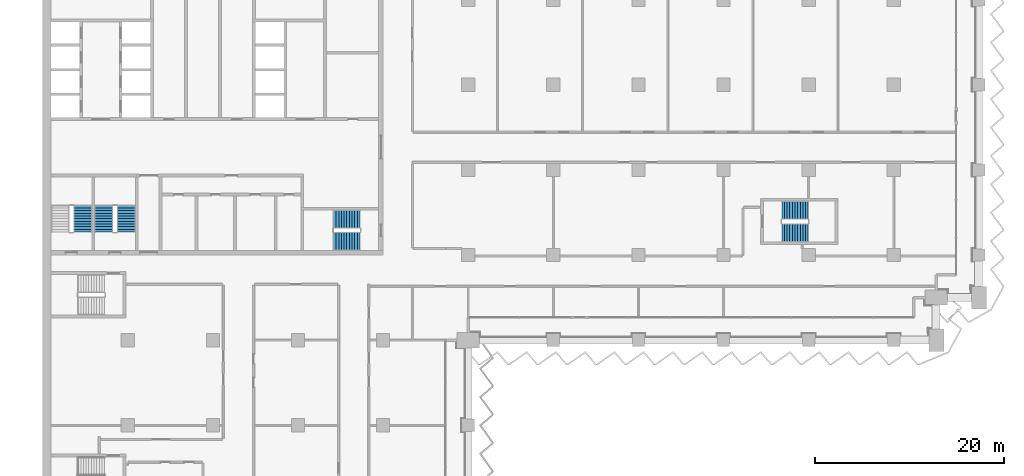
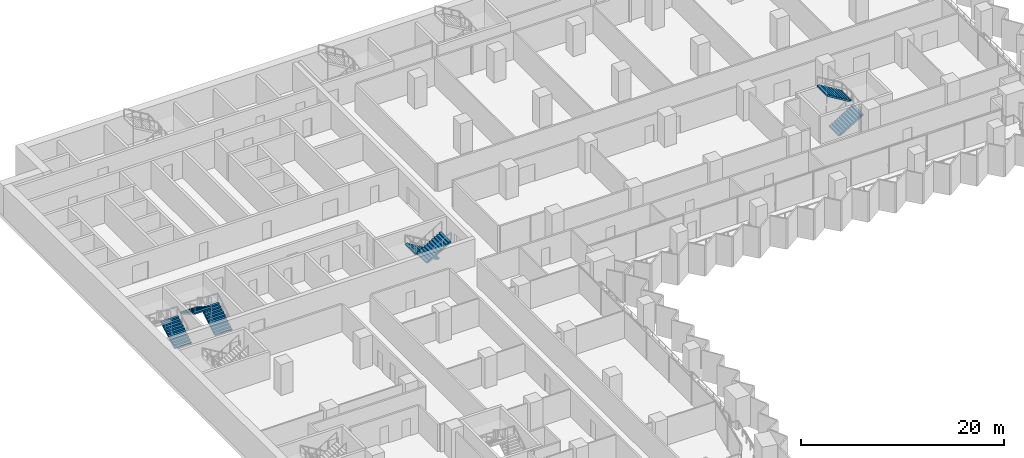
# One storey, part 21 of 29: 7 stair flights, 4 elements without a shape of their own.
"""IFC4 building model written with IfcOpenShell, lengths in metres."""

from ifc_helpers import new_model, si_unit, direction, frame, origin, place, context, subcontext, project, spatial, polyline, outline, extrude, material, type_object, element, aggregate, save


model = new_model("IFC4")

# Units and contexts
model_context = context("Model", 3, precision=1e-05, world=origin(), true_north=direction((0.0, 1.0)))
body_context = subcontext(model_context, "Body", "Model", "MODEL_VIEW")
ifc_project = project(units=[si_unit("LENGTHUNIT", "METRE"), si_unit("AREAUNIT", "SQUARE_METRE"), si_unit("VOLUMEUNIT", "CUBIC_METRE"), si_unit("PLANEANGLEUNIT", "RADIAN"), si_unit("MASSUNIT", "GRAM", prefix="KILO")], contexts=[model_context])

# Site, building, storey
site_placement = place(None, origin())
site = spatial("IfcSite", under=ifc_project, at=site_placement, CompositionType="ELEMENT")
building_placement = place(site_placement, origin())
building = spatial("IfcBuilding", under=site, at=building_placement, Name="Hunhe Ridgeline Campus", CompositionType="ELEMENT")
storey_placement = place(building_placement, frame((0.0, 0.0, 54.300048828125)))
storey = spatial("IfcBuildingStorey", under=building, at=storey_placement, Name="L12", CompositionType="ELEMENT", Elevation=54.300048828125)

# Stair, stair flights
ifc_material = material(Name="Concrete C40", Category="concrete")
stair_type = type_object("IfcStairType", Name="Reinforced concrete dog-leg stair 1950 Concrete C40", PredefinedType="HALF_TURN_STAIR", material=ifc_material)
stair_1_placement = place(storey_placement, origin())
stair_1 = element("IfcStair", 1, at=stair_1_placement, inside=storey, type_object=stair_type, Name="L12 S2", PredefinedType="HALF_TURN_STAIR")
stair_flight_type = type_object("IfcStairFlightType", Name="Reinforced concrete stair flight 1950 Concrete C40", PredefinedType="STRAIGHT", material=ifc_material)
stair_flight_1_placement = place(storey_placement, frame((33.550048828125, 66.77490234375, 0.0), z_axis=(0.0, 0.0, 1.0), x_axis=(-1.0, 0.0, 0.0)))
stair_flight_1 = element("IfcStairFlight", 2, at=stair_flight_1_placement, type_object=stair_flight_type, Name="ST2 flight 1", NumberOfRisers=11, NumberOfTreads=10, PredefinedType="STRAIGHT", RiserHeight=0.168181818, TreadLength=0.28, context=body_context, shape_type="SweptSolid", body=[
    extrude(outline(polyline([(0.0, 0.0), (0.0, 0.168212890625), (0.280029296875, 0.168212890625), (0.280029296875, 0.33642578125), (0.56005859375, 0.33642578125), (0.56005859375, 0.504638671875), (0.840087890625, 0.504638671875), (0.840087890625, 0.672607421875), (1.1201171875, 0.672607421875), (1.1201171875, 0.8408203125), (1.39990234375, 0.8408203125), (1.39990234375, 1.009033203125), (1.679931640625, 1.009033203125), (1.679931640625, 1.17724609375), (1.9599609375, 1.17724609375), (1.9599609375, 1.345458984375), (2.239990234375, 1.345458984375), (2.239990234375, 1.513671875), (2.52001953125, 1.513671875), (2.52001953125, 1.681884765625), (2.800048828125, 1.681884765625), (2.800048828125, 1.85009765625), (2.800048828125, 1.5068359375), (0.291015625, 0.0), (0.0, 0.0)])), frame((0.0, 0.97509765625, 0.0), z_axis=(0.0, -1.0, 0.0), x_axis=(1.0, 0.0, 0.0)), (0.0, 0.0, 1.0), 1.949951171875),
    extrude(outline(polyline([(0.030029296875, 0.030029296875), (0.030029296875, 0.13818359375), (0.31005859375, 0.13818359375), (0.31005859375, 0.306396484375), (0.590087890625, 0.306396484375), (0.590087890625, 0.474609375), (0.8701171875, 0.474609375), (0.8701171875, 0.642578125), (1.14990234375, 0.642578125), (1.14990234375, 0.810791015625), (1.429931640625, 0.810791015625), (1.429931640625, 0.97900390625), (1.7099609375, 0.97900390625), (1.7099609375, 1.147216796875), (1.989990234375, 1.147216796875), (1.989990234375, 1.3154296875), (2.27001953125, 1.3154296875), (2.27001953125, 1.483642578125), (2.550048828125, 1.483642578125), (2.550048828125, 1.65185546875), (2.77001953125, 1.65185546875), (2.77001953125, 1.52392578125), (0.28271484375, 0.030029296875), (0.030029296875, 0.030029296875)])), frame((0.0, -0.070068359375, 0.0), z_axis=(0.0, -1.0, 0.0), x_axis=(1.0, 0.0, 0.0)), (0.0, 0.0, 1.0), 0.019775390625),
    extrude(outline(polyline([(0.030029296875, 0.030029296875), (0.030029296875, 0.13818359375), (0.31005859375, 0.13818359375), (0.31005859375, 0.306396484375), (0.590087890625, 0.306396484375), (0.590087890625, 0.474609375), (0.8701171875, 0.474609375), (0.8701171875, 0.642578125), (1.14990234375, 0.642578125), (1.14990234375, 0.810791015625), (1.429931640625, 0.810791015625), (1.429931640625, 0.97900390625), (1.7099609375, 0.97900390625), (1.7099609375, 1.147216796875), (1.989990234375, 1.147216796875), (1.989990234375, 1.3154296875), (2.27001953125, 1.3154296875), (2.27001953125, 1.483642578125), (2.550048828125, 1.483642578125), (2.550048828125, 1.65185546875), (2.77001953125, 1.65185546875), (2.77001953125, 1.52392578125), (0.28271484375, 0.030029296875), (0.030029296875, 0.030029296875)])), frame((0.0, 0.010009765625, 0.0), z_axis=(0.0, -1.0, 0.0), x_axis=(1.0, 0.0, 0.0)), (0.0, 0.0, 1.0), 0.019775390625),
    extrude(outline(polyline([(0.030029296875, 0.030029296875), (0.030029296875, 0.13818359375), (0.31005859375, 0.13818359375), (0.31005859375, 0.306396484375), (0.590087890625, 0.306396484375), (0.590087890625, 0.474609375), (0.8701171875, 0.474609375), (0.8701171875, 0.642578125), (1.14990234375, 0.642578125), (1.14990234375, 0.810791015625), (1.429931640625, 0.810791015625), (1.429931640625, 0.97900390625), (1.7099609375, 0.97900390625), (1.7099609375, 1.147216796875), (1.989990234375, 1.147216796875), (1.989990234375, 1.3154296875), (2.27001953125, 1.3154296875), (2.27001953125, 1.483642578125), (2.550048828125, 1.483642578125), (2.550048828125, 1.65185546875), (2.77001953125, 1.65185546875), (2.77001953125, 1.52392578125), (0.28271484375, 0.030029296875), (0.030029296875, 0.030029296875)])), frame((0.0, 0.090087890625, 0.0), z_axis=(0.0, -1.0, 0.0), x_axis=(1.0, 0.0, 0.0)), (0.0, 0.0, 1.0), 0.019775390625),
])
stair_flight_2_placement = place(storey_placement, frame((30.75, 64.47509765625, 1.849853515625), z_axis=(0.0, 0.0, 1.0), x_axis=(1.0, 0.0, 0.0)))
stair_flight_2 = element("IfcStairFlight", 3, at=stair_flight_2_placement, type_object=stair_flight_type, Name="ST2 flight 2", NumberOfRisers=11, NumberOfTreads=10, PredefinedType="STRAIGHT", RiserHeight=0.168181818, TreadLength=0.28, context=body_context, shape_type="SweptSolid", body=[
    extrude(outline(polyline([(0.0, 0.0), (0.0, 0.168212890625), (0.280029296875, 0.168212890625), (0.280029296875, 0.33642578125), (0.56005859375, 0.33642578125), (0.56005859375, 0.504638671875), (0.840087890625, 0.504638671875), (0.840087890625, 0.672607421875), (1.1201171875, 0.672607421875), (1.1201171875, 0.8408203125), (1.39990234375, 0.8408203125), (1.39990234375, 1.009033203125), (1.679931640625, 1.009033203125), (1.679931640625, 1.17724609375), (1.9599609375, 1.17724609375), (1.9599609375, 1.345458984375), (2.239990234375, 1.345458984375), (2.239990234375, 1.513671875), (2.52001953125, 1.513671875), (2.52001953125, 1.681884765625), (2.800048828125, 1.681884765625), (2.800048828125, 1.85009765625), (2.800048828125, 1.5068359375), (0.291015625, 0.0), (0.0, 0.0)])), frame((0.0, 0.97509765625, 0.0), z_axis=(0.0, -1.0, 0.0), x_axis=(1.0, 0.0, 0.0)), (0.0, 0.0, 1.0), 1.949951171875),
    extrude(outline(polyline([(0.030029296875, 0.030029296875), (0.030029296875, 0.13818359375), (0.31005859375, 0.13818359375), (0.31005859375, 0.306396484375), (0.590087890625, 0.306396484375), (0.590087890625, 0.474609375), (0.8701171875, 0.474609375), (0.8701171875, 0.642578125), (1.14990234375, 0.642578125), (1.14990234375, 0.810791015625), (1.429931640625, 0.810791015625), (1.429931640625, 0.97900390625), (1.7099609375, 0.97900390625), (1.7099609375, 1.147216796875), (1.989990234375, 1.147216796875), (1.989990234375, 1.3154296875), (2.27001953125, 1.3154296875), (2.27001953125, 1.483642578125), (2.550048828125, 1.483642578125), (2.550048828125, 1.65185546875), (2.77001953125, 1.65185546875), (2.77001953125, 1.52392578125), (0.28271484375, 0.030029296875), (0.030029296875, 0.030029296875)])), frame((0.0, -0.070068359375, 0.0), z_axis=(0.0, -1.0, 0.0), x_axis=(1.0, 0.0, 0.0)), (0.0, 0.0, 1.0), 0.019775390625),
    extrude(outline(polyline([(0.030029296875, 0.030029296875), (0.030029296875, 0.13818359375), (0.31005859375, 0.13818359375), (0.31005859375, 0.306396484375), (0.590087890625, 0.306396484375), (0.590087890625, 0.474609375), (0.8701171875, 0.474609375), (0.8701171875, 0.642578125), (1.14990234375, 0.642578125), (1.14990234375, 0.810791015625), (1.429931640625, 0.810791015625), (1.429931640625, 0.97900390625), (1.7099609375, 0.97900390625), (1.7099609375, 1.147216796875), (1.989990234375, 1.147216796875), (1.989990234375, 1.3154296875), (2.27001953125, 1.3154296875), (2.27001953125, 1.483642578125), (2.550048828125, 1.483642578125), (2.550048828125, 1.65185546875), (2.77001953125, 1.65185546875), (2.77001953125, 1.52392578125), (0.28271484375, 0.030029296875), (0.030029296875, 0.030029296875)])), frame((0.0, 0.010009765625, 0.0), z_axis=(0.0, -1.0, 0.0), x_axis=(1.0, 0.0, 0.0)), (0.0, 0.0, 1.0), 0.019775390625),
    extrude(outline(polyline([(0.030029296875, 0.030029296875), (0.030029296875, 0.13818359375), (0.31005859375, 0.13818359375), (0.31005859375, 0.306396484375), (0.590087890625, 0.306396484375), (0.590087890625, 0.474609375), (0.8701171875, 0.474609375), (0.8701171875, 0.642578125), (1.14990234375, 0.642578125), (1.14990234375, 0.810791015625), (1.429931640625, 0.810791015625), (1.429931640625, 0.97900390625), (1.7099609375, 0.97900390625), (1.7099609375, 1.147216796875), (1.989990234375, 1.147216796875), (1.989990234375, 1.3154296875), (2.27001953125, 1.3154296875), (2.27001953125, 1.483642578125), (2.550048828125, 1.483642578125), (2.550048828125, 1.65185546875), (2.77001953125, 1.65185546875), (2.77001953125, 1.52392578125), (0.28271484375, 0.030029296875), (0.030029296875, 0.030029296875)])), frame((0.0, 0.090087890625, 0.0), z_axis=(0.0, -1.0, 0.0), x_axis=(1.0, 0.0, 0.0)), (0.0, 0.0, 1.0), 0.019775390625),
])
aggregate(stair_1, [stair_flight_1, stair_flight_2])

# Stair, stair flight
stair_2_placement = place(storey_placement, origin())
stair_2 = element("IfcStair", 4, at=stair_2_placement, inside=storey, type_object=stair_type, Name="L12 S3", PredefinedType="HALF_TURN_STAIR")
stair_flight_3_placement = place(storey_placement, frame((4.22509765625, 65.449951171875, 0.0), z_axis=(0.0, 0.0, 1.0), x_axis=(0.0, 1.0, 0.0)))
stair_flight_3 = element("IfcStairFlight", 5, at=stair_flight_3_placement, type_object=stair_flight_type, Name="ST3 flight 1", NumberOfRisers=11, NumberOfTreads=10, PredefinedType="STRAIGHT", RiserHeight=0.168181818, TreadLength=0.28, context=body_context, shape_type="SweptSolid", body=[
    extrude(outline(polyline([(0.0, 0.0), (0.0, 0.168212890625), (0.280029296875, 0.168212890625), (0.280029296875, 0.33642578125), (0.56005859375, 0.33642578125), (0.56005859375, 0.504638671875), (0.840087890625, 0.504638671875), (0.840087890625, 0.672607421875), (1.1201171875, 0.672607421875), (1.1201171875, 0.8408203125), (1.39990234375, 0.8408203125), (1.39990234375, 1.009033203125), (1.679931640625, 1.009033203125), (1.679931640625, 1.17724609375), (1.9599609375, 1.17724609375), (1.9599609375, 1.345458984375), (2.239990234375, 1.345458984375), (2.239990234375, 1.513671875), (2.52001953125, 1.513671875), (2.52001953125, 1.681884765625), (2.800048828125, 1.681884765625), (2.800048828125, 1.85009765625), (2.800048828125, 1.5068359375), (0.291015625, 0.0), (0.0, 0.0)])), frame((0.0, 0.97509765625, 0.0), z_axis=(0.0, -1.0, 0.0), x_axis=(1.0, 0.0, 0.0)), (0.0, 0.0, 1.0), 1.949951171875),
    extrude(outline(polyline([(0.030029296875, 0.030029296875), (0.030029296875, 0.13818359375), (0.31005859375, 0.13818359375), (0.31005859375, 0.306396484375), (0.590087890625, 0.306396484375), (0.590087890625, 0.474609375), (0.8701171875, 0.474609375), (0.8701171875, 0.642578125), (1.14990234375, 0.642578125), (1.14990234375, 0.810791015625), (1.429931640625, 0.810791015625), (1.429931640625, 0.97900390625), (1.7099609375, 0.97900390625), (1.7099609375, 1.147216796875), (1.989990234375, 1.147216796875), (1.989990234375, 1.3154296875), (2.27001953125, 1.3154296875), (2.27001953125, 1.483642578125), (2.550048828125, 1.483642578125), (2.550048828125, 1.65185546875), (2.77001953125, 1.65185546875), (2.77001953125, 1.52392578125), (0.28271484375, 0.030029296875), (0.030029296875, 0.030029296875)])), frame((0.0, -0.070068359375, 0.0), z_axis=(0.0, -1.0, 0.0), x_axis=(1.0, 0.0, 0.0)), (0.0, 0.0, 1.0), 0.019775390625),
    extrude(outline(polyline([(0.030029296875, 0.030029296875), (0.030029296875, 0.13818359375), (0.31005859375, 0.13818359375), (0.31005859375, 0.306396484375), (0.590087890625, 0.306396484375), (0.590087890625, 0.474609375), (0.8701171875, 0.474609375), (0.8701171875, 0.642578125), (1.14990234375, 0.642578125), (1.14990234375, 0.810791015625), (1.429931640625, 0.810791015625), (1.429931640625, 0.97900390625), (1.7099609375, 0.97900390625), (1.7099609375, 1.147216796875), (1.989990234375, 1.147216796875), (1.989990234375, 1.3154296875), (2.27001953125, 1.3154296875), (2.27001953125, 1.483642578125), (2.550048828125, 1.483642578125), (2.550048828125, 1.65185546875), (2.77001953125, 1.65185546875), (2.77001953125, 1.52392578125), (0.28271484375, 0.030029296875), (0.030029296875, 0.030029296875)])), frame((0.0, 0.010009765625, 0.0), z_axis=(0.0, -1.0, 0.0), x_axis=(1.0, 0.0, 0.0)), (0.0, 0.0, 1.0), 0.019775390625),
    extrude(outline(polyline([(0.030029296875, 0.030029296875), (0.030029296875, 0.13818359375), (0.31005859375, 0.13818359375), (0.31005859375, 0.306396484375), (0.590087890625, 0.306396484375), (0.590087890625, 0.474609375), (0.8701171875, 0.474609375), (0.8701171875, 0.642578125), (1.14990234375, 0.642578125), (1.14990234375, 0.810791015625), (1.429931640625, 0.810791015625), (1.429931640625, 0.97900390625), (1.7099609375, 0.97900390625), (1.7099609375, 1.147216796875), (1.989990234375, 1.147216796875), (1.989990234375, 1.3154296875), (2.27001953125, 1.3154296875), (2.27001953125, 1.483642578125), (2.550048828125, 1.483642578125), (2.550048828125, 1.65185546875), (2.77001953125, 1.65185546875), (2.77001953125, 1.52392578125), (0.28271484375, 0.030029296875), (0.030029296875, 0.030029296875)])), frame((0.0, 0.090087890625, 0.0), z_axis=(0.0, -1.0, 0.0), x_axis=(1.0, 0.0, 0.0)), (0.0, 0.0, 1.0), 0.019775390625),
])
aggregate(stair_2, [stair_flight_3])

# Stair, stair flights
stair_3_placement = place(storey_placement, origin())
stair_3 = element("IfcStair", 6, at=stair_3_placement, inside=storey, type_object=stair_type, Name="L12 S4", PredefinedType="HALF_TURN_STAIR")
stair_flight_4_placement = place(storey_placement, frame((8.824951171875, 65.449951171875, 0.0), z_axis=(0.0, 0.0, 1.0), x_axis=(0.0, 1.0, 0.0)))
stair_flight_4 = element("IfcStairFlight", 7, at=stair_flight_4_placement, type_object=stair_flight_type, Name="ST4 flight 1", NumberOfRisers=11, NumberOfTreads=10, PredefinedType="STRAIGHT", RiserHeight=0.168181818, TreadLength=0.28, context=body_context, shape_type="SweptSolid", body=[
    extrude(outline(polyline([(0.0, 0.0), (0.0, 0.168212890625), (0.280029296875, 0.168212890625), (0.280029296875, 0.33642578125), (0.56005859375, 0.33642578125), (0.56005859375, 0.504638671875), (0.840087890625, 0.504638671875), (0.840087890625, 0.672607421875), (1.1201171875, 0.672607421875), (1.1201171875, 0.8408203125), (1.39990234375, 0.8408203125), (1.39990234375, 1.009033203125), (1.679931640625, 1.009033203125), (1.679931640625, 1.17724609375), (1.9599609375, 1.17724609375), (1.9599609375, 1.345458984375), (2.239990234375, 1.345458984375), (2.239990234375, 1.513671875), (2.52001953125, 1.513671875), (2.52001953125, 1.681884765625), (2.800048828125, 1.681884765625), (2.800048828125, 1.85009765625), (2.800048828125, 1.5068359375), (0.291015625, 0.0), (0.0, 0.0)])), frame((0.0, 0.97509765625, 0.0), z_axis=(0.0, -1.0, 0.0), x_axis=(1.0, 0.0, 0.0)), (0.0, 0.0, 1.0), 1.949951171875),
    extrude(outline(polyline([(0.030029296875, 0.030029296875), (0.030029296875, 0.13818359375), (0.31005859375, 0.13818359375), (0.31005859375, 0.306396484375), (0.590087890625, 0.306396484375), (0.590087890625, 0.474609375), (0.8701171875, 0.474609375), (0.8701171875, 0.642578125), (1.14990234375, 0.642578125), (1.14990234375, 0.810791015625), (1.429931640625, 0.810791015625), (1.429931640625, 0.97900390625), (1.7099609375, 0.97900390625), (1.7099609375, 1.147216796875), (1.989990234375, 1.147216796875), (1.989990234375, 1.3154296875), (2.27001953125, 1.3154296875), (2.27001953125, 1.483642578125), (2.550048828125, 1.483642578125), (2.550048828125, 1.65185546875), (2.77001953125, 1.65185546875), (2.77001953125, 1.52392578125), (0.28271484375, 0.030029296875), (0.030029296875, 0.030029296875)])), frame((0.0, -0.070068359375, 0.0), z_axis=(0.0, -1.0, 0.0), x_axis=(1.0, 0.0, 0.0)), (0.0, 0.0, 1.0), 0.019775390625),
    extrude(outline(polyline([(0.030029296875, 0.030029296875), (0.030029296875, 0.13818359375), (0.31005859375, 0.13818359375), (0.31005859375, 0.306396484375), (0.590087890625, 0.306396484375), (0.590087890625, 0.474609375), (0.8701171875, 0.474609375), (0.8701171875, 0.642578125), (1.14990234375, 0.642578125), (1.14990234375, 0.810791015625), (1.429931640625, 0.810791015625), (1.429931640625, 0.97900390625), (1.7099609375, 0.97900390625), (1.7099609375, 1.147216796875), (1.989990234375, 1.147216796875), (1.989990234375, 1.3154296875), (2.27001953125, 1.3154296875), (2.27001953125, 1.483642578125), (2.550048828125, 1.483642578125), (2.550048828125, 1.65185546875), (2.77001953125, 1.65185546875), (2.77001953125, 1.52392578125), (0.28271484375, 0.030029296875), (0.030029296875, 0.030029296875)])), frame((0.0, 0.010009765625, 0.0), z_axis=(0.0, -1.0, 0.0), x_axis=(1.0, 0.0, 0.0)), (0.0, 0.0, 1.0), 0.019775390625),
    extrude(outline(polyline([(0.030029296875, 0.030029296875), (0.030029296875, 0.13818359375), (0.31005859375, 0.13818359375), (0.31005859375, 0.306396484375), (0.590087890625, 0.306396484375), (0.590087890625, 0.474609375), (0.8701171875, 0.474609375), (0.8701171875, 0.642578125), (1.14990234375, 0.642578125), (1.14990234375, 0.810791015625), (1.429931640625, 0.810791015625), (1.429931640625, 0.97900390625), (1.7099609375, 0.97900390625), (1.7099609375, 1.147216796875), (1.989990234375, 1.147216796875), (1.989990234375, 1.3154296875), (2.27001953125, 1.3154296875), (2.27001953125, 1.483642578125), (2.550048828125, 1.483642578125), (2.550048828125, 1.65185546875), (2.77001953125, 1.65185546875), (2.77001953125, 1.52392578125), (0.28271484375, 0.030029296875), (0.030029296875, 0.030029296875)])), frame((0.0, 0.090087890625, 0.0), z_axis=(0.0, -1.0, 0.0), x_axis=(1.0, 0.0, 0.0)), (0.0, 0.0, 1.0), 0.019775390625),
])
stair_flight_5_placement = place(storey_placement, frame((6.47509765625, 68.25, 1.849853515625), z_axis=(0.0, 0.0, 1.0), x_axis=(0.0, -1.0, 0.0)))
stair_flight_5 = element("IfcStairFlight", 8, at=stair_flight_5_placement, type_object=stair_flight_type, Name="ST4 flight 2", NumberOfRisers=11, NumberOfTreads=10, PredefinedType="STRAIGHT", RiserHeight=0.168181818, TreadLength=0.28, context=body_context, shape_type="SweptSolid", body=[
    extrude(outline(polyline([(0.0, 0.0), (0.0, 0.168212890625), (0.280029296875, 0.168212890625), (0.280029296875, 0.33642578125), (0.56005859375, 0.33642578125), (0.56005859375, 0.504638671875), (0.840087890625, 0.504638671875), (0.840087890625, 0.672607421875), (1.1201171875, 0.672607421875), (1.1201171875, 0.8408203125), (1.39990234375, 0.8408203125), (1.39990234375, 1.009033203125), (1.679931640625, 1.009033203125), (1.679931640625, 1.17724609375), (1.9599609375, 1.17724609375), (1.9599609375, 1.345458984375), (2.239990234375, 1.345458984375), (2.239990234375, 1.513671875), (2.52001953125, 1.513671875), (2.52001953125, 1.681884765625), (2.800048828125, 1.681884765625), (2.800048828125, 1.85009765625), (2.800048828125, 1.5068359375), (0.291015625, 0.0), (0.0, 0.0)])), frame((0.0, 0.97509765625, 0.0), z_axis=(0.0, -1.0, 0.0), x_axis=(1.0, 0.0, 0.0)), (0.0, 0.0, 1.0), 1.949951171875),
    extrude(outline(polyline([(0.030029296875, 0.030029296875), (0.030029296875, 0.13818359375), (0.31005859375, 0.13818359375), (0.31005859375, 0.306396484375), (0.590087890625, 0.306396484375), (0.590087890625, 0.474609375), (0.8701171875, 0.474609375), (0.8701171875, 0.642578125), (1.14990234375, 0.642578125), (1.14990234375, 0.810791015625), (1.429931640625, 0.810791015625), (1.429931640625, 0.97900390625), (1.7099609375, 0.97900390625), (1.7099609375, 1.147216796875), (1.989990234375, 1.147216796875), (1.989990234375, 1.3154296875), (2.27001953125, 1.3154296875), (2.27001953125, 1.483642578125), (2.550048828125, 1.483642578125), (2.550048828125, 1.65185546875), (2.77001953125, 1.65185546875), (2.77001953125, 1.52392578125), (0.28271484375, 0.030029296875), (0.030029296875, 0.030029296875)])), frame((0.0, -0.070068359375, 0.0), z_axis=(0.0, -1.0, 0.0), x_axis=(1.0, 0.0, 0.0)), (0.0, 0.0, 1.0), 0.019775390625),
    extrude(outline(polyline([(0.030029296875, 0.030029296875), (0.030029296875, 0.13818359375), (0.31005859375, 0.13818359375), (0.31005859375, 0.306396484375), (0.590087890625, 0.306396484375), (0.590087890625, 0.474609375), (0.8701171875, 0.474609375), (0.8701171875, 0.642578125), (1.14990234375, 0.642578125), (1.14990234375, 0.810791015625), (1.429931640625, 0.810791015625), (1.429931640625, 0.97900390625), (1.7099609375, 0.97900390625), (1.7099609375, 1.147216796875), (1.989990234375, 1.147216796875), (1.989990234375, 1.3154296875), (2.27001953125, 1.3154296875), (2.27001953125, 1.483642578125), (2.550048828125, 1.483642578125), (2.550048828125, 1.65185546875), (2.77001953125, 1.65185546875), (2.77001953125, 1.52392578125), (0.28271484375, 0.030029296875), (0.030029296875, 0.030029296875)])), frame((0.0, 0.010009765625, 0.0), z_axis=(0.0, -1.0, 0.0), x_axis=(1.0, 0.0, 0.0)), (0.0, 0.0, 1.0), 0.019775390625),
    extrude(outline(polyline([(0.030029296875, 0.030029296875), (0.030029296875, 0.13818359375), (0.31005859375, 0.13818359375), (0.31005859375, 0.306396484375), (0.590087890625, 0.306396484375), (0.590087890625, 0.474609375), (0.8701171875, 0.474609375), (0.8701171875, 0.642578125), (1.14990234375, 0.642578125), (1.14990234375, 0.810791015625), (1.429931640625, 0.810791015625), (1.429931640625, 0.97900390625), (1.7099609375, 0.97900390625), (1.7099609375, 1.147216796875), (1.989990234375, 1.147216796875), (1.989990234375, 1.3154296875), (2.27001953125, 1.3154296875), (2.27001953125, 1.483642578125), (2.550048828125, 1.483642578125), (2.550048828125, 1.65185546875), (2.77001953125, 1.65185546875), (2.77001953125, 1.52392578125), (0.28271484375, 0.030029296875), (0.030029296875, 0.030029296875)])), frame((0.0, 0.090087890625, 0.0), z_axis=(0.0, -1.0, 0.0), x_axis=(1.0, 0.0, 0.0)), (0.0, 0.0, 1.0), 0.019775390625),
])
aggregate(stair_3, [stair_flight_4, stair_flight_5])

stair_4_placement = place(storey_placement, origin())
stair_4 = element("IfcStair", 9, at=stair_4_placement, inside=storey, type_object=stair_type, Name="L12 E5", PredefinedType="HALF_TURN_STAIR")
stair_flight_6_placement = place(storey_placement, frame((78.14990234375, 65.375, 0.0), z_axis=(0.0, 0.0, 1.0), x_axis=(1.0, 0.0, 0.0)))
stair_flight_6 = element("IfcStairFlight", 10, at=stair_flight_6_placement, type_object=stair_flight_type, Name="ST10 flight 1", NumberOfRisers=11, NumberOfTreads=10, PredefinedType="STRAIGHT", RiserHeight=0.168181818, TreadLength=0.28, context=body_context, shape_type="SweptSolid", body=[
    extrude(outline(polyline([(0.0, 0.0), (0.0, 0.168212890625), (0.280029296875, 0.168212890625), (0.280029296875, 0.33642578125), (0.56005859375, 0.33642578125), (0.56005859375, 0.504638671875), (0.840087890625, 0.504638671875), (0.840087890625, 0.672607421875), (1.1201171875, 0.672607421875), (1.1201171875, 0.8408203125), (1.39990234375, 0.8408203125), (1.39990234375, 1.009033203125), (1.679931640625, 1.009033203125), (1.679931640625, 1.17724609375), (1.9599609375, 1.17724609375), (1.9599609375, 1.345458984375), (2.239990234375, 1.345458984375), (2.239990234375, 1.513671875), (2.52001953125, 1.513671875), (2.52001953125, 1.681884765625), (2.800048828125, 1.681884765625), (2.800048828125, 1.85009765625), (2.800048828125, 1.5068359375), (0.291015625, 0.0), (0.0, 0.0)])), frame((0.0, 0.97509765625, 0.0), z_axis=(0.0, -1.0, 0.0), x_axis=(1.0, 0.0, 0.0)), (0.0, 0.0, 1.0), 1.949951171875),
    extrude(outline(polyline([(0.030029296875, 0.030029296875), (0.030029296875, 0.13818359375), (0.31005859375, 0.13818359375), (0.31005859375, 0.306396484375), (0.590087890625, 0.306396484375), (0.590087890625, 0.474609375), (0.8701171875, 0.474609375), (0.8701171875, 0.642578125), (1.14990234375, 0.642578125), (1.14990234375, 0.810791015625), (1.429931640625, 0.810791015625), (1.429931640625, 0.97900390625), (1.7099609375, 0.97900390625), (1.7099609375, 1.147216796875), (1.989990234375, 1.147216796875), (1.989990234375, 1.3154296875), (2.27001953125, 1.3154296875), (2.27001953125, 1.483642578125), (2.550048828125, 1.483642578125), (2.550048828125, 1.65185546875), (2.77001953125, 1.65185546875), (2.77001953125, 1.52392578125), (0.28271484375, 0.030029296875), (0.030029296875, 0.030029296875)])), frame((0.0, -0.070068359375, 0.0), z_axis=(0.0, -1.0, 0.0), x_axis=(1.0, 0.0, 0.0)), (0.0, 0.0, 1.0), 0.019775390625),
    extrude(outline(polyline([(0.030029296875, 0.030029296875), (0.030029296875, 0.13818359375), (0.31005859375, 0.13818359375), (0.31005859375, 0.306396484375), (0.590087890625, 0.306396484375), (0.590087890625, 0.474609375), (0.8701171875, 0.474609375), (0.8701171875, 0.642578125), (1.14990234375, 0.642578125), (1.14990234375, 0.810791015625), (1.429931640625, 0.810791015625), (1.429931640625, 0.97900390625), (1.7099609375, 0.97900390625), (1.7099609375, 1.147216796875), (1.989990234375, 1.147216796875), (1.989990234375, 1.3154296875), (2.27001953125, 1.3154296875), (2.27001953125, 1.483642578125), (2.550048828125, 1.483642578125), (2.550048828125, 1.65185546875), (2.77001953125, 1.65185546875), (2.77001953125, 1.52392578125), (0.28271484375, 0.030029296875), (0.030029296875, 0.030029296875)])), frame((0.0, 0.010009765625, 0.0), z_axis=(0.0, -1.0, 0.0), x_axis=(1.0, 0.0, 0.0)), (0.0, 0.0, 1.0), 0.019775390625),
    extrude(outline(polyline([(0.030029296875, 0.030029296875), (0.030029296875, 0.13818359375), (0.31005859375, 0.13818359375), (0.31005859375, 0.306396484375), (0.590087890625, 0.306396484375), (0.590087890625, 0.474609375), (0.8701171875, 0.474609375), (0.8701171875, 0.642578125), (1.14990234375, 0.642578125), (1.14990234375, 0.810791015625), (1.429931640625, 0.810791015625), (1.429931640625, 0.97900390625), (1.7099609375, 0.97900390625), (1.7099609375, 1.147216796875), (1.989990234375, 1.147216796875), (1.989990234375, 1.3154296875), (2.27001953125, 1.3154296875), (2.27001953125, 1.483642578125), (2.550048828125, 1.483642578125), (2.550048828125, 1.65185546875), (2.77001953125, 1.65185546875), (2.77001953125, 1.52392578125), (0.28271484375, 0.030029296875), (0.030029296875, 0.030029296875)])), frame((0.0, 0.090087890625, 0.0), z_axis=(0.0, -1.0, 0.0), x_axis=(1.0, 0.0, 0.0)), (0.0, 0.0, 1.0), 0.019775390625),
])
stair_flight_7_placement = place(storey_placement, frame((80.949951171875, 67.72509765625, 1.849853515625), z_axis=(0.0, 0.0, 1.0), x_axis=(-1.0, 0.0, 0.0)))
stair_flight_7 = element("IfcStairFlight", 11, at=stair_flight_7_placement, type_object=stair_flight_type, Name="ST10 flight 2", NumberOfRisers=11, NumberOfTreads=10, PredefinedType="STRAIGHT", RiserHeight=0.168181818, TreadLength=0.28, context=body_context, shape_type="SweptSolid", body=[
    extrude(outline(polyline([(0.0, 0.0), (0.0, 0.168212890625), (0.280029296875, 0.168212890625), (0.280029296875, 0.33642578125), (0.56005859375, 0.33642578125), (0.56005859375, 0.504638671875), (0.840087890625, 0.504638671875), (0.840087890625, 0.672607421875), (1.1201171875, 0.672607421875), (1.1201171875, 0.8408203125), (1.39990234375, 0.8408203125), (1.39990234375, 1.009033203125), (1.679931640625, 1.009033203125), (1.679931640625, 1.17724609375), (1.9599609375, 1.17724609375), (1.9599609375, 1.345458984375), (2.239990234375, 1.345458984375), (2.239990234375, 1.513671875), (2.52001953125, 1.513671875), (2.52001953125, 1.681884765625), (2.800048828125, 1.681884765625), (2.800048828125, 1.85009765625), (2.800048828125, 1.5068359375), (0.291015625, 0.0), (0.0, 0.0)])), frame((0.0, 0.97509765625, 0.0), z_axis=(0.0, -1.0, 0.0), x_axis=(1.0, 0.0, 0.0)), (0.0, 0.0, 1.0), 1.949951171875),
    extrude(outline(polyline([(0.030029296875, 0.030029296875), (0.030029296875, 0.13818359375), (0.31005859375, 0.13818359375), (0.31005859375, 0.306396484375), (0.590087890625, 0.306396484375), (0.590087890625, 0.474609375), (0.8701171875, 0.474609375), (0.8701171875, 0.642578125), (1.14990234375, 0.642578125), (1.14990234375, 0.810791015625), (1.429931640625, 0.810791015625), (1.429931640625, 0.97900390625), (1.7099609375, 0.97900390625), (1.7099609375, 1.147216796875), (1.989990234375, 1.147216796875), (1.989990234375, 1.3154296875), (2.27001953125, 1.3154296875), (2.27001953125, 1.483642578125), (2.550048828125, 1.483642578125), (2.550048828125, 1.65185546875), (2.77001953125, 1.65185546875), (2.77001953125, 1.52392578125), (0.28271484375, 0.030029296875), (0.030029296875, 0.030029296875)])), frame((0.0, -0.070068359375, 0.0), z_axis=(0.0, -1.0, 0.0), x_axis=(1.0, 0.0, 0.0)), (0.0, 0.0, 1.0), 0.019775390625),
    extrude(outline(polyline([(0.030029296875, 0.030029296875), (0.030029296875, 0.13818359375), (0.31005859375, 0.13818359375), (0.31005859375, 0.306396484375), (0.590087890625, 0.306396484375), (0.590087890625, 0.474609375), (0.8701171875, 0.474609375), (0.8701171875, 0.642578125), (1.14990234375, 0.642578125), (1.14990234375, 0.810791015625), (1.429931640625, 0.810791015625), (1.429931640625, 0.97900390625), (1.7099609375, 0.97900390625), (1.7099609375, 1.147216796875), (1.989990234375, 1.147216796875), (1.989990234375, 1.3154296875), (2.27001953125, 1.3154296875), (2.27001953125, 1.483642578125), (2.550048828125, 1.483642578125), (2.550048828125, 1.65185546875), (2.77001953125, 1.65185546875), (2.77001953125, 1.52392578125), (0.28271484375, 0.030029296875), (0.030029296875, 0.030029296875)])), frame((0.0, 0.010009765625, 0.0), z_axis=(0.0, -1.0, 0.0), x_axis=(1.0, 0.0, 0.0)), (0.0, 0.0, 1.0), 0.019775390625),
    extrude(outline(polyline([(0.030029296875, 0.030029296875), (0.030029296875, 0.13818359375), (0.31005859375, 0.13818359375), (0.31005859375, 0.306396484375), (0.590087890625, 0.306396484375), (0.590087890625, 0.474609375), (0.8701171875, 0.474609375), (0.8701171875, 0.642578125), (1.14990234375, 0.642578125), (1.14990234375, 0.810791015625), (1.429931640625, 0.810791015625), (1.429931640625, 0.97900390625), (1.7099609375, 0.97900390625), (1.7099609375, 1.147216796875), (1.989990234375, 1.147216796875), (1.989990234375, 1.3154296875), (2.27001953125, 1.3154296875), (2.27001953125, 1.483642578125), (2.550048828125, 1.483642578125), (2.550048828125, 1.65185546875), (2.77001953125, 1.65185546875), (2.77001953125, 1.52392578125), (0.28271484375, 0.030029296875), (0.030029296875, 0.030029296875)])), frame((0.0, 0.090087890625, 0.0), z_axis=(0.0, -1.0, 0.0), x_axis=(1.0, 0.0, 0.0)), (0.0, 0.0, 1.0), 0.019775390625),
])
aggregate(stair_4, [stair_flight_6, stair_flight_7])

save(model, "model.ifc")
